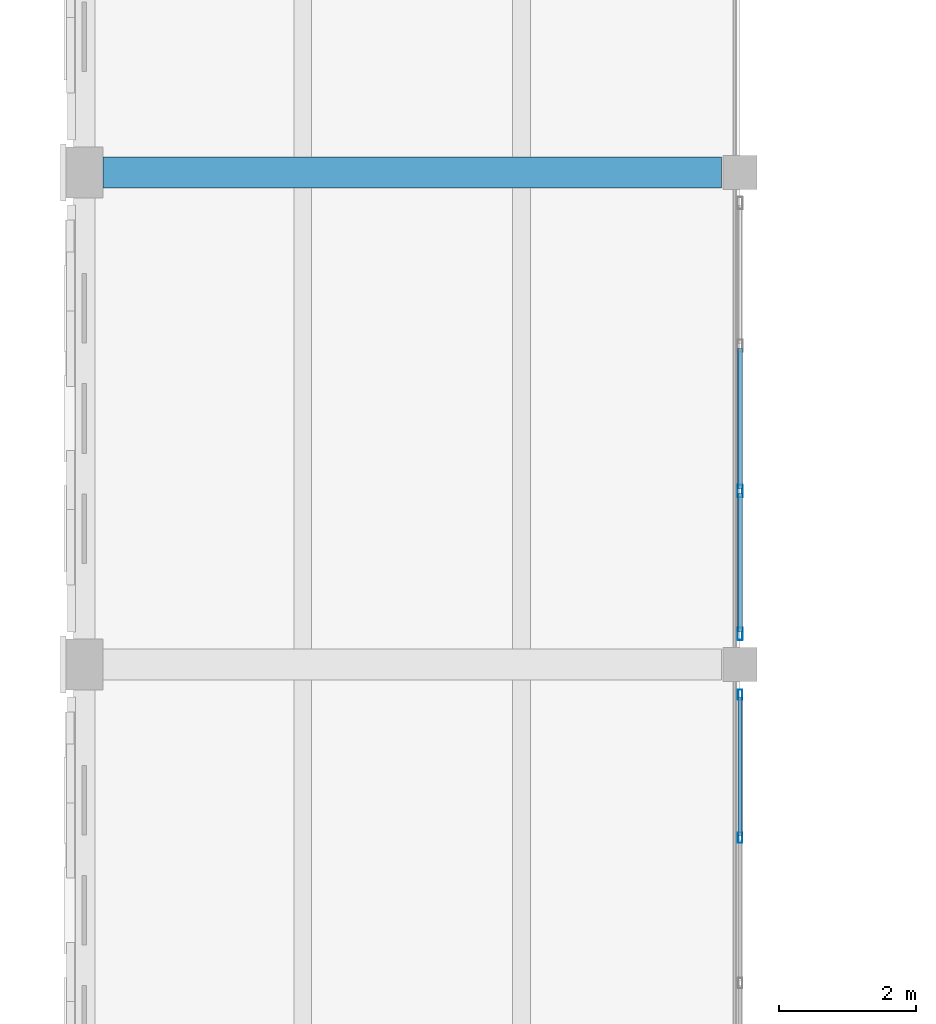
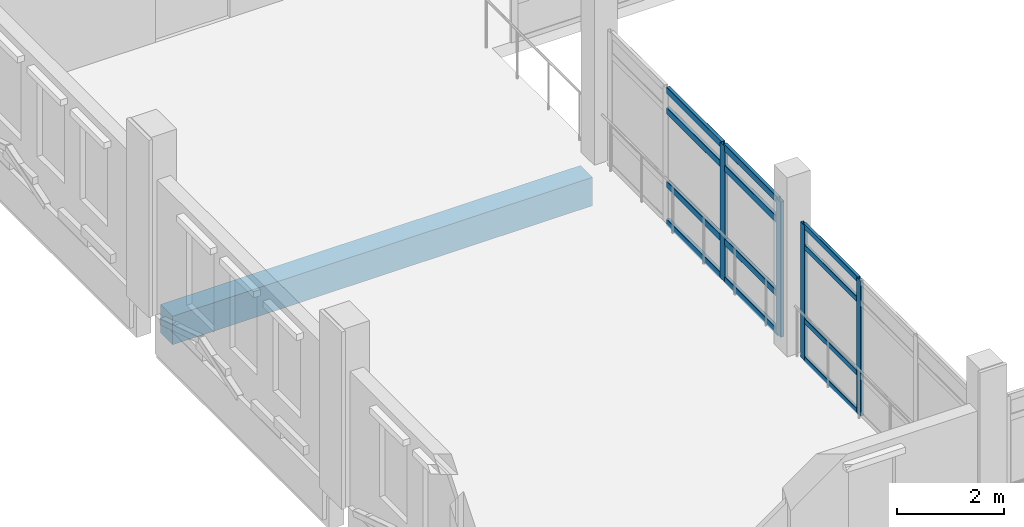
# One storey, part 6 of 24: 16 members, 1 beam, 2 elements without a shape of their own.
"""IFC4 building model written with IfcOpenShell, lengths in metres."""

from ifc_helpers import new_model, si_unit, direction, frame, origin, origin_2d, place, context, subcontext, project, spatial, rectangle, hollow_rectangle, extrude, material, layer, layer_set, material_profile, profile_set, type_object, element, aggregate, save


model = new_model("IFC4")

# Units and contexts
model_context = context("Model", 3, precision=1e-05, world=origin(), true_north=direction((0.0, 1.0)))
body_context = subcontext(model_context, "Body", "Model", "MODEL_VIEW")
ifc_project = project(units=[si_unit("LENGTHUNIT", "METRE"), si_unit("AREAUNIT", "SQUARE_METRE"), si_unit("VOLUMEUNIT", "CUBIC_METRE"), si_unit("PLANEANGLEUNIT", "RADIAN"), si_unit("MASSUNIT", "GRAM", prefix="KILO")], contexts=[model_context])

# Site, building, storey
site_placement = place(None, origin())
site = spatial("IfcSite", under=ifc_project, at=site_placement, CompositionType="ELEMENT")
building_placement = place(site_placement, origin())
building = spatial("IfcBuilding", under=site, at=building_placement, Name="Asteropetra Specialist Clinic", CompositionType="ELEMENT")
storey_placement = place(building_placement, frame((0.0, 0.0, 20.739990234375)))
storey = spatial("IfcBuildingStorey", under=building, at=storey_placement, Name="L05", CompositionType="ELEMENT", Elevation=20.739990234375)

# Beam
ifc_material_1 = material(Name="Concrete C35/45", Category="concrete")
ifc_material_profile_1 = material_profile(ifc_material_1, rectangle(XDim=0.449951171875, YDim=0.64990234375, at=origin_2d()), Name="RCB 450x650")
ifc_profile_set_1 = profile_set([ifc_material_profile_1], Name="Concrete C35/45")
beam_type = type_object("IfcBeamType", Name="BM-RC450x650", PredefinedType="BEAM", material=ifc_profile_set_1)
beam_placement = place(storey_placement, frame((0.27490234375, 91.199951171875, -0.60498046875), z_axis=(1.0, 0.0, 0.0), x_axis=(0.0, 1.0, 0.0)))
element("IfcBeam", 1, at=beam_placement, inside=storey, type_object=beam_type, Name="Beam BBM06-1987", PredefinedType="BEAM", context=body_context, shape_type="SweptSolid", body=[
    extrude(rectangle(XDim=0.449951171875, YDim=0.64990234375, at=origin_2d()), origin(), (0.0, 0.0, 1.0), 9.050048828125),
])

# Curtain wall, members
ifc_material_2 = material(Name="Aluminium and low-E glass", Category="aluminium")
ifc_layer_1 = layer(ifc_material_2, 0.179931640625)
ifc_layer_set_1 = layer_set([ifc_layer_1], Name="Aluminium and low-E glass")
curtain_wall_type_1 = type_object("IfcCurtainWallType", Name="CW-SYS-04", PredefinedType="USERDEFINED", material=ifc_layer_set_1)
curtain_wall_1_placement = place(storey_placement, origin())
curtain_wall_1 = element("IfcCurtainWall", 2, at=curtain_wall_1_placement, inside=storey, type_object=curtain_wall_type_1, Name="Curtain Wall CW-061", ObjectType="UNITISED CURTAIN WALL", PredefinedType="USERDEFINED")
ifc_material_3 = material(Name="Aluminium 6063-T6", Category="aluminium")
ifc_material_profile_2 = material_profile(ifc_material_3, hollow_rectangle(XDim=0.06494140625, YDim=0.14990234375, WallThickness=0.00390625, InnerFilletRadius=0.00390625, OuterFilletRadius=0.008056640625, at=origin_2d()), Name="MUL 150x65x4.0")
ifc_profile_set_2 = profile_set([ifc_material_profile_2], Name="Aluminium 6063-T6")
member_type_1 = type_object("IfcMemberType", Name="CWM-150x65", PredefinedType="MULLION", material=ifc_profile_set_2)
member_1_placement = place(storey_placement, frame((9.60009765625, 83.5576171875, 0.0), z_axis=(0.0, 0.0, 1.0), x_axis=(1.0, 0.0, 0.0)))
member_1 = element("IfcMember", 3, at=member_1_placement, type_object=member_type_1, Name="CW-061 mullion 1", PredefinedType="MULLION", context=body_context, shape_type="SweptSolid", body=[
    extrude(hollow_rectangle(XDim=0.06494140625, YDim=0.14990234375, WallThickness=0.00390625, InnerFilletRadius=0.00390625, OuterFilletRadius=0.008056640625, at=origin_2d()), origin(), (0.0, 0.0, 1.0), 3.080078125),
])
member_2_placement = place(storey_placement, frame((9.60009765625, 81.46337890625, 0.0), z_axis=(0.0, 0.0, 1.0), x_axis=(1.0, 0.0, 0.0)))
member_2 = element("IfcMember", 4, at=member_2_placement, type_object=member_type_1, Name="CW-061 mullion 2", PredefinedType="MULLION", context=body_context, shape_type="SweptSolid", body=[
    extrude(hollow_rectangle(XDim=0.06494140625, YDim=0.14990234375, WallThickness=0.00390625, InnerFilletRadius=0.00390625, OuterFilletRadius=0.008056640625, at=origin_2d()), origin(), (0.0, 0.0, 1.0), 3.080078125),
])

ifc_material_4 = material(Name="Aluminium and low-E glass", Category="aluminium")
ifc_layer_2 = layer(ifc_material_4, 0.14990234375)
ifc_layer_set_2 = layer_set([ifc_layer_2], Name="Aluminium and low-E glass")
curtain_wall_type_2 = type_object("IfcCurtainWallType", Name="CW-SYS-05", PredefinedType="USERDEFINED", material=ifc_layer_set_2)
curtain_wall_2_placement = place(storey_placement, origin())
curtain_wall_2 = element("IfcCurtainWall", 5, at=curtain_wall_2_placement, inside=storey, type_object=curtain_wall_type_2, Name="Curtain Wall CW-063", ObjectType="UNITISED CURTAIN WALL", PredefinedType="USERDEFINED")
ifc_material_5 = material(Name="Aluminium 6063-T6", Category="aluminium")
ifc_material_profile_3 = material_profile(ifc_material_5, hollow_rectangle(XDim=0.074951171875, YDim=0.179931640625, WallThickness=0.00390625, InnerFilletRadius=0.00390625, OuterFilletRadius=0.008056640625, at=origin_2d()), Name="MUL 180x75x4.0")
ifc_profile_set_3 = profile_set([ifc_material_profile_3], Name="Aluminium 6063-T6")
member_type_2 = type_object("IfcMemberType", Name="CWM-180x75", PredefinedType="MULLION", material=ifc_profile_set_3)
member_3_placement = place(storey_placement, frame((9.60009765625, 86.53662109375, 0.0), z_axis=(0.0, 0.0, 1.0), x_axis=(1.0, 0.0, 0.0)))
member_3 = element("IfcMember", 6, at=member_3_placement, type_object=member_type_2, Name="CW-063 mullion 3", PredefinedType="MULLION", context=body_context, shape_type="SweptSolid", body=[
    extrude(hollow_rectangle(XDim=0.074951171875, YDim=0.179931640625, WallThickness=0.00390625, InnerFilletRadius=0.00390625, OuterFilletRadius=0.008056640625, at=origin_2d()), origin(), (0.0, 0.0, 1.0), 3.080078125),
])
member_4_placement = place(storey_placement, frame((9.60009765625, 84.447509765625, 0.0), z_axis=(0.0, 0.0, 1.0), x_axis=(1.0, 0.0, 0.0)))
member_4 = element("IfcMember", 7, at=member_4_placement, type_object=member_type_2, Name="CW-063 mullion 4", PredefinedType="MULLION", context=body_context, shape_type="SweptSolid", body=[
    extrude(hollow_rectangle(XDim=0.074951171875, YDim=0.179931640625, WallThickness=0.00390625, InnerFilletRadius=0.00390625, OuterFilletRadius=0.008056640625, at=origin_2d()), origin(), (0.0, 0.0, 1.0), 3.080078125),
])

# Member
ifc_material_6 = material(Name="Aluminium 6063-T6", Category="aluminium")
ifc_material_profile_4 = material_profile(ifc_material_6, hollow_rectangle(XDim=0.06494140625, YDim=0.1201171875, WallThickness=0.00390625, InnerFilletRadius=0.00390625, OuterFilletRadius=0.008056640625, at=origin_2d()), Name="TRN 120x65x4.0")
ifc_profile_set_4 = profile_set([ifc_material_profile_4], Name="Aluminium 6063-T6")
member_type_3 = type_object("IfcMemberType", Name="CWT-120x65", PredefinedType="USERDEFINED", material=ifc_profile_set_4)
member_5_placement = place(storey_placement, frame((9.60009765625, 83.52490234375, 0.032470703125), z_axis=(0.0, -1.0, 0.0), x_axis=(1.0, 0.0, 0.0)))
member_5 = element("IfcMember", 8, at=member_5_placement, type_object=member_type_3, Name="CW-061 transom 1.1", ObjectType="TRANSOM", PredefinedType="USERDEFINED", context=body_context, shape_type="SweptSolid", body=[
    extrude(hollow_rectangle(XDim=0.06494140625, YDim=0.1201171875, WallThickness=0.00390625, InnerFilletRadius=0.00390625, OuterFilletRadius=0.008056640625, at=origin_2d()), origin(), (0.0, 0.0, 1.0), 2.029052734375),
])

member_6_placement = place(storey_placement, frame((9.60009765625, 83.52490234375, 0.89990234375), z_axis=(0.0, -1.0, 0.0), x_axis=(1.0, 0.0, 0.0)))
member_6 = element("IfcMember", 9, at=member_6_placement, type_object=member_type_3, Name="CW-061 transom 1.2", ObjectType="TRANSOM", PredefinedType="USERDEFINED", context=body_context, shape_type="SweptSolid", body=[
    extrude(hollow_rectangle(XDim=0.06494140625, YDim=0.1201171875, WallThickness=0.00390625, InnerFilletRadius=0.00390625, OuterFilletRadius=0.008056640625, at=origin_2d()), origin(), (0.0, 0.0, 1.0), 2.029052734375),
])

member_7_placement = place(storey_placement, frame((9.60009765625, 83.52490234375, 2.580078125), z_axis=(0.0, -1.0, 0.0), x_axis=(1.0, 0.0, 0.0)))
member_7 = element("IfcMember", 10, at=member_7_placement, type_object=member_type_3, Name="CW-061 transom 1.3", ObjectType="TRANSOM", PredefinedType="USERDEFINED", context=body_context, shape_type="SweptSolid", body=[
    extrude(hollow_rectangle(XDim=0.06494140625, YDim=0.1201171875, WallThickness=0.00390625, InnerFilletRadius=0.00390625, OuterFilletRadius=0.008056640625, at=origin_2d()), origin(), (0.0, 0.0, 1.0), 2.029052734375),
])

member_8_placement = place(storey_placement, frame((9.60009765625, 83.52490234375, 3.047607421875), z_axis=(0.0, -1.0, 0.0), x_axis=(1.0, 0.0, 0.0)))
member_8 = element("IfcMember", 11, at=member_8_placement, type_object=member_type_3, Name="CW-061 transom 1.4", ObjectType="TRANSOM", PredefinedType="USERDEFINED", context=body_context, shape_type="SweptSolid", body=[
    extrude(hollow_rectangle(XDim=0.06494140625, YDim=0.1201171875, WallThickness=0.00390625, InnerFilletRadius=0.00390625, OuterFilletRadius=0.008056640625, at=origin_2d()), origin(), (0.0, 0.0, 1.0), 2.029052734375),
])

aggregate(curtain_wall_1, [member_1, member_2, member_5, member_6, member_7, member_8])

ifc_material_7 = material(Name="Aluminium 6063-T6", Category="aluminium")
ifc_material_profile_5 = material_profile(ifc_material_7, hollow_rectangle(XDim=0.074951171875, YDim=0.14990234375, WallThickness=0.00390625, InnerFilletRadius=0.00390625, OuterFilletRadius=0.008056640625, at=origin_2d()), Name="TRN 150x75x4.0")
ifc_profile_set_5 = profile_set([ifc_material_profile_5], Name="Aluminium 6063-T6")
member_type_4 = type_object("IfcMemberType", Name="CWT-150x75", PredefinedType="USERDEFINED", material=ifc_profile_set_5)
member_9_placement = place(storey_placement, frame((9.60009765625, 88.625732421875, 0.03759765625), z_axis=(0.0, -1.0, 0.0), x_axis=(1.0, 0.0, 0.0)))
member_9 = element("IfcMember", 12, at=member_9_placement, type_object=member_type_4, Name="CW-063 transom 2.1", ObjectType="TRANSOM", PredefinedType="USERDEFINED", context=body_context, shape_type="SweptSolid", body=[
    extrude(hollow_rectangle(XDim=0.074951171875, YDim=0.14990234375, WallThickness=0.00390625, InnerFilletRadius=0.00390625, OuterFilletRadius=0.008056640625, at=origin_2d()), origin(), (0.0, 0.0, 1.0), 2.051513671875),
])

member_10_placement = place(storey_placement, frame((9.60009765625, 88.625732421875, 0.89990234375), z_axis=(0.0, -1.0, 0.0), x_axis=(1.0, 0.0, 0.0)))
member_10 = element("IfcMember", 13, at=member_10_placement, type_object=member_type_4, Name="CW-063 transom 2.2", ObjectType="TRANSOM", PredefinedType="USERDEFINED", context=body_context, shape_type="SweptSolid", body=[
    extrude(hollow_rectangle(XDim=0.074951171875, YDim=0.14990234375, WallThickness=0.00390625, InnerFilletRadius=0.00390625, OuterFilletRadius=0.008056640625, at=origin_2d()), origin(), (0.0, 0.0, 1.0), 2.051513671875),
])

member_11_placement = place(storey_placement, frame((9.60009765625, 88.625732421875, 2.580078125), z_axis=(0.0, -1.0, 0.0), x_axis=(1.0, 0.0, 0.0)))
member_11 = element("IfcMember", 14, at=member_11_placement, type_object=member_type_4, Name="CW-063 transom 2.3", ObjectType="TRANSOM", PredefinedType="USERDEFINED", context=body_context, shape_type="SweptSolid", body=[
    extrude(hollow_rectangle(XDim=0.074951171875, YDim=0.14990234375, WallThickness=0.00390625, InnerFilletRadius=0.00390625, OuterFilletRadius=0.008056640625, at=origin_2d()), origin(), (0.0, 0.0, 1.0), 2.051513671875),
])

member_12_placement = place(storey_placement, frame((9.60009765625, 88.625732421875, 3.04248046875), z_axis=(0.0, -1.0, 0.0), x_axis=(1.0, 0.0, 0.0)))
member_12 = element("IfcMember", 15, at=member_12_placement, type_object=member_type_4, Name="CW-063 transom 2.4", ObjectType="TRANSOM", PredefinedType="USERDEFINED", context=body_context, shape_type="SweptSolid", body=[
    extrude(hollow_rectangle(XDim=0.074951171875, YDim=0.14990234375, WallThickness=0.00390625, InnerFilletRadius=0.00390625, OuterFilletRadius=0.008056640625, at=origin_2d()), origin(), (0.0, 0.0, 1.0), 2.051513671875),
])

member_13_placement = place(storey_placement, frame((9.60009765625, 86.499267578125, 0.03759765625), z_axis=(0.0, -1.0, 0.0), x_axis=(1.0, 0.0, 0.0)))
member_13 = element("IfcMember", 16, at=member_13_placement, type_object=member_type_4, Name="CW-063 transom 3.1", ObjectType="TRANSOM", PredefinedType="USERDEFINED", context=body_context, shape_type="SweptSolid", body=[
    extrude(hollow_rectangle(XDim=0.074951171875, YDim=0.14990234375, WallThickness=0.00390625, InnerFilletRadius=0.00390625, OuterFilletRadius=0.008056640625, at=origin_2d()), origin(), (0.0, 0.0, 1.0), 2.01416015625),
])

member_14_placement = place(storey_placement, frame((9.60009765625, 86.499267578125, 0.89990234375), z_axis=(0.0, -1.0, 0.0), x_axis=(1.0, 0.0, 0.0)))
member_14 = element("IfcMember", 17, at=member_14_placement, type_object=member_type_4, Name="CW-063 transom 3.2", ObjectType="TRANSOM", PredefinedType="USERDEFINED", context=body_context, shape_type="SweptSolid", body=[
    extrude(hollow_rectangle(XDim=0.074951171875, YDim=0.14990234375, WallThickness=0.00390625, InnerFilletRadius=0.00390625, OuterFilletRadius=0.008056640625, at=origin_2d()), origin(), (0.0, 0.0, 1.0), 2.01416015625),
])

member_15_placement = place(storey_placement, frame((9.60009765625, 86.499267578125, 2.580078125), z_axis=(0.0, -1.0, 0.0), x_axis=(1.0, 0.0, 0.0)))
member_15 = element("IfcMember", 18, at=member_15_placement, type_object=member_type_4, Name="CW-063 transom 3.3", ObjectType="TRANSOM", PredefinedType="USERDEFINED", context=body_context, shape_type="SweptSolid", body=[
    extrude(hollow_rectangle(XDim=0.074951171875, YDim=0.14990234375, WallThickness=0.00390625, InnerFilletRadius=0.00390625, OuterFilletRadius=0.008056640625, at=origin_2d()), origin(), (0.0, 0.0, 1.0), 2.01416015625),
])

member_16_placement = place(storey_placement, frame((9.60009765625, 86.499267578125, 3.04248046875), z_axis=(0.0, -1.0, 0.0), x_axis=(1.0, 0.0, 0.0)))
member_16 = element("IfcMember", 19, at=member_16_placement, type_object=member_type_4, Name="CW-063 transom 3.4", ObjectType="TRANSOM", PredefinedType="USERDEFINED", context=body_context, shape_type="SweptSolid", body=[
    extrude(hollow_rectangle(XDim=0.074951171875, YDim=0.14990234375, WallThickness=0.00390625, InnerFilletRadius=0.00390625, OuterFilletRadius=0.008056640625, at=origin_2d()), origin(), (0.0, 0.0, 1.0), 2.01416015625),
])

aggregate(curtain_wall_2, [member_3, member_4, member_9, member_10, member_11, member_12, member_13, member_14, member_15, member_16])

save(model, "model.ifc")
